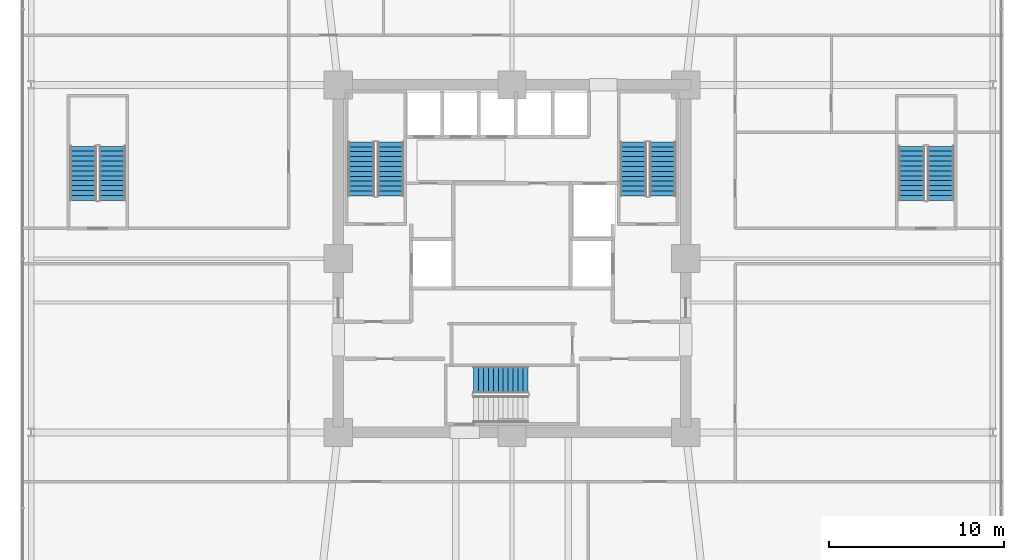
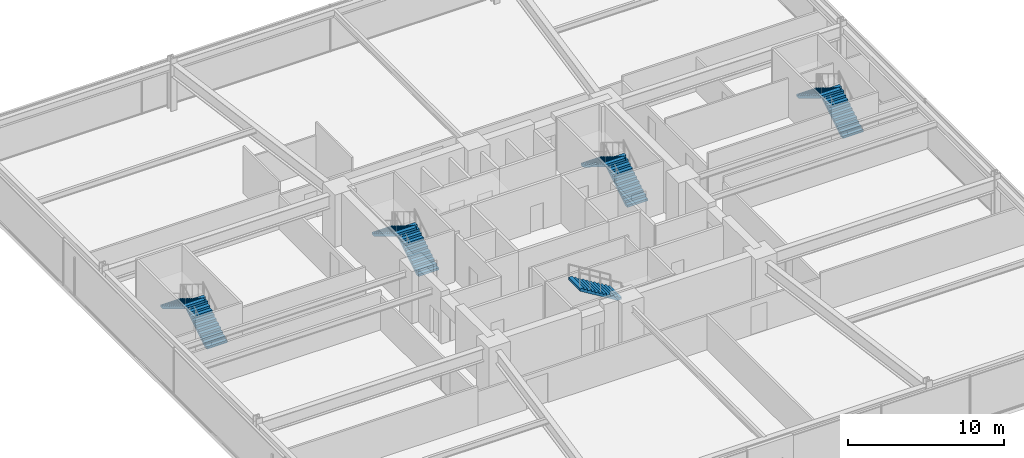
# One storey, part 36 of 39: 9 stair flights, 5 elements without a shape of their own.
"""IFC4 building model written with IfcOpenShell, lengths in metres."""

from ifc_helpers import new_model, si_unit, direction, frame, origin, place, context, subcontext, project, spatial, polyline, outline, extrude, material, type_object, element, aggregate, save


model = new_model("IFC4")

# Units and contexts
model_context = context("Model", 3, precision=1e-05, world=origin(), true_north=direction((0.0, 1.0)))
body_context = subcontext(model_context, "Body", "Model", "MODEL_VIEW")
ifc_project = project(units=[si_unit("LENGTHUNIT", "METRE"), si_unit("AREAUNIT", "SQUARE_METRE"), si_unit("VOLUMEUNIT", "CUBIC_METRE"), si_unit("PLANEANGLEUNIT", "RADIAN"), si_unit("MASSUNIT", "GRAM", prefix="KILO")], contexts=[model_context])

# Site, building, storey
site_placement = place(None, origin())
site = spatial("IfcSite", under=ifc_project, at=site_placement, CompositionType="ELEMENT")
building_placement = place(site_placement, origin())
building = spatial("IfcBuilding", under=site, at=building_placement, Name="Kolvaren Belvedere", CompositionType="ELEMENT")
storey_placement = place(building_placement, frame((0.0, 0.0, 15.199951171875)))
storey = spatial("IfcBuildingStorey", under=building, at=storey_placement, Name="L04", CompositionType="ELEMENT", Elevation=15.199951171875)

# Stair, stair flights
ifc_material_1 = material(Name="Concrete C50/60", Category="concrete")
stair_type_1 = type_object("IfcStairType", Name="ST-CORE-1520", PredefinedType="HALF_TURN_STAIR", material=ifc_material_1)
stair_1_placement = place(storey_placement, origin())
stair_1 = element("IfcStair", 1, at=stair_1_placement, inside=storey, type_object=stair_type_1, Name="L04 Protected Exit Stair ST-1", PredefinedType="HALF_TURN_STAIR")
ifc_material_2 = material(Name="Concrete C50/60", Category="concrete")
stair_flight_type = type_object("IfcStairFlightType", Name="SF-STR-1520", PredefinedType="STRAIGHT", material=ifc_material_2)
stair_flight_1_placement = place(storey_placement, frame((-6.919921875, 3.570068359375, 0.0), z_axis=(0.0, 0.0, 1.0), x_axis=(0.0, 1.0, 0.0)))
stair_flight_1 = element("IfcStairFlight", 2, at=stair_flight_1_placement, type_object=stair_flight_type, Name="ST-1 flight 1", NumberOfRisers=12, NumberOfTreads=11, PredefinedType="STRAIGHT", RiserHeight=0.170833333, TreadLength=0.28, context=body_context, shape_type="SweptSolid", body=[
    extrude(outline(polyline([(0.0, 0.0), (0.0, 0.1708984375), (0.280029296875, 0.1708984375), (0.280029296875, 0.341552734375), (0.56005859375, 0.341552734375), (0.56005859375, 0.512451171875), (0.840087890625, 0.512451171875), (0.840087890625, 0.683349609375), (1.1201171875, 0.683349609375), (1.1201171875, 0.854248046875), (1.39990234375, 0.854248046875), (1.39990234375, 1.02490234375), (1.679931640625, 1.02490234375), (1.679931640625, 1.19580078125), (1.9599609375, 1.19580078125), (1.9599609375, 1.36669921875), (2.239990234375, 1.36669921875), (2.239990234375, 1.53759765625), (2.52001953125, 1.53759765625), (2.52001953125, 1.708251953125), (2.800048828125, 1.708251953125), (2.800048828125, 1.879150390625), (3.080078125, 1.879150390625), (3.080078125, 2.050048828125), (3.080078125, 1.70361328125), (0.287841796875, 0.0), (0.0, 0.0)])), frame((0.0, 0.760009765625, 0.0), z_axis=(0.0, -1.0, 0.0), x_axis=(1.0, 0.0, 0.0)), (0.0, 0.0, 1.0), 1.52001953125),
])
stair_flight_2_placement = place(storey_placement, frame((-8.590087890625, 6.64990234375, 2.050048828125), z_axis=(0.0, 0.0, 1.0), x_axis=(0.0, -1.0, 0.0)))
stair_flight_2 = element("IfcStairFlight", 3, at=stair_flight_2_placement, type_object=stair_flight_type, Name="ST-1 flight 2", NumberOfRisers=12, NumberOfTreads=11, PredefinedType="STRAIGHT", RiserHeight=0.170833333, TreadLength=0.28, context=body_context, shape_type="SweptSolid", body=[
    extrude(outline(polyline([(0.0, 0.0), (0.0, 0.1708984375), (0.280029296875, 0.1708984375), (0.280029296875, 0.341552734375), (0.56005859375, 0.341552734375), (0.56005859375, 0.512451171875), (0.840087890625, 0.512451171875), (0.840087890625, 0.683349609375), (1.1201171875, 0.683349609375), (1.1201171875, 0.854248046875), (1.39990234375, 0.854248046875), (1.39990234375, 1.02490234375), (1.679931640625, 1.02490234375), (1.679931640625, 1.19580078125), (1.9599609375, 1.19580078125), (1.9599609375, 1.36669921875), (2.239990234375, 1.36669921875), (2.239990234375, 1.53759765625), (2.52001953125, 1.53759765625), (2.52001953125, 1.708251953125), (2.800048828125, 1.708251953125), (2.800048828125, 1.879150390625), (3.080078125, 1.879150390625), (3.080078125, 2.050048828125), (3.080078125, 1.70361328125), (0.287841796875, 0.0), (0.0, 0.0)])), frame((0.0, 0.760009765625, 0.0), z_axis=(0.0, -1.0, 0.0), x_axis=(1.0, 0.0, 0.0)), (0.0, 0.0, 1.0), 1.52001953125),
])
aggregate(stair_1, [stair_flight_1, stair_flight_2])

stair_2_placement = place(storey_placement, origin())
stair_2 = element("IfcStair", 4, at=stair_2_placement, inside=storey, type_object=stair_type_1, Name="L04 Protected Exit Stair ST-2", PredefinedType="HALF_TURN_STAIR")
stair_flight_3_placement = place(storey_placement, frame((8.590087890625, 3.570068359375, 0.0), z_axis=(0.0, 0.0, 1.0), x_axis=(0.0, 1.0, 0.0)))
stair_flight_3 = element("IfcStairFlight", 5, at=stair_flight_3_placement, type_object=stair_flight_type, Name="ST-2 flight 1", NumberOfRisers=12, NumberOfTreads=11, PredefinedType="STRAIGHT", RiserHeight=0.170833333, TreadLength=0.28, context=body_context, shape_type="SweptSolid", body=[
    extrude(outline(polyline([(0.0, 0.0), (0.0, 0.1708984375), (0.280029296875, 0.1708984375), (0.280029296875, 0.341552734375), (0.56005859375, 0.341552734375), (0.56005859375, 0.512451171875), (0.840087890625, 0.512451171875), (0.840087890625, 0.683349609375), (1.1201171875, 0.683349609375), (1.1201171875, 0.854248046875), (1.39990234375, 0.854248046875), (1.39990234375, 1.02490234375), (1.679931640625, 1.02490234375), (1.679931640625, 1.19580078125), (1.9599609375, 1.19580078125), (1.9599609375, 1.36669921875), (2.239990234375, 1.36669921875), (2.239990234375, 1.53759765625), (2.52001953125, 1.53759765625), (2.52001953125, 1.708251953125), (2.800048828125, 1.708251953125), (2.800048828125, 1.879150390625), (3.080078125, 1.879150390625), (3.080078125, 2.050048828125), (3.080078125, 1.70361328125), (0.287841796875, 0.0), (0.0, 0.0)])), frame((0.0, 0.760009765625, 0.0), z_axis=(0.0, -1.0, 0.0), x_axis=(1.0, 0.0, 0.0)), (0.0, 0.0, 1.0), 1.52001953125),
])
stair_flight_4_placement = place(storey_placement, frame((6.919921875, 6.64990234375, 2.050048828125), z_axis=(0.0, 0.0, 1.0), x_axis=(0.0, -1.0, 0.0)))
stair_flight_4 = element("IfcStairFlight", 6, at=stair_flight_4_placement, type_object=stair_flight_type, Name="ST-2 flight 2", NumberOfRisers=12, NumberOfTreads=11, PredefinedType="STRAIGHT", RiserHeight=0.170833333, TreadLength=0.28, context=body_context, shape_type="SweptSolid", body=[
    extrude(outline(polyline([(0.0, 0.0), (0.0, 0.1708984375), (0.280029296875, 0.1708984375), (0.280029296875, 0.341552734375), (0.56005859375, 0.341552734375), (0.56005859375, 0.512451171875), (0.840087890625, 0.512451171875), (0.840087890625, 0.683349609375), (1.1201171875, 0.683349609375), (1.1201171875, 0.854248046875), (1.39990234375, 0.854248046875), (1.39990234375, 1.02490234375), (1.679931640625, 1.02490234375), (1.679931640625, 1.19580078125), (1.9599609375, 1.19580078125), (1.9599609375, 1.36669921875), (2.239990234375, 1.36669921875), (2.239990234375, 1.53759765625), (2.52001953125, 1.53759765625), (2.52001953125, 1.708251953125), (2.800048828125, 1.708251953125), (2.800048828125, 1.879150390625), (3.080078125, 1.879150390625), (3.080078125, 2.050048828125), (3.080078125, 1.70361328125), (0.287841796875, 0.0), (0.0, 0.0)])), frame((0.0, 0.760009765625, 0.0), z_axis=(0.0, -1.0, 0.0), x_axis=(1.0, 0.0, 0.0)), (0.0, 0.0, 1.0), 1.52001953125),
])
aggregate(stair_2, [stair_flight_3, stair_flight_4])

# Stair, stair flight
stair_3_placement = place(storey_placement, origin())
stair_3 = element("IfcStair", 7, at=stair_3_placement, inside=storey, type_object=stair_type_1, Name="L04 Protected Exit Stair ST-3", PredefinedType="HALF_TURN_STAIR")
stair_flight_5_placement = place(storey_placement, frame((0.89990234375, -6.919921875, 2.050048828125), z_axis=(0.0, 0.0, 1.0), x_axis=(-1.0, 0.0, 0.0)))
stair_flight_5 = element("IfcStairFlight", 8, at=stair_flight_5_placement, type_object=stair_flight_type, Name="ST-3 flight 2", NumberOfRisers=12, NumberOfTreads=11, PredefinedType="STRAIGHT", RiserHeight=0.170833333, TreadLength=0.28, context=body_context, shape_type="SweptSolid", body=[
    extrude(outline(polyline([(0.0, 0.0), (0.0, 0.1708984375), (0.280029296875, 0.1708984375), (0.280029296875, 0.341552734375), (0.56005859375, 0.341552734375), (0.56005859375, 0.512451171875), (0.840087890625, 0.512451171875), (0.840087890625, 0.683349609375), (1.1201171875, 0.683349609375), (1.1201171875, 0.854248046875), (1.39990234375, 0.854248046875), (1.39990234375, 1.02490234375), (1.679931640625, 1.02490234375), (1.679931640625, 1.19580078125), (1.9599609375, 1.19580078125), (1.9599609375, 1.36669921875), (2.239990234375, 1.36669921875), (2.239990234375, 1.53759765625), (2.52001953125, 1.53759765625), (2.52001953125, 1.708251953125), (2.800048828125, 1.708251953125), (2.800048828125, 1.879150390625), (3.080078125, 1.879150390625), (3.080078125, 2.050048828125), (3.080078125, 1.70361328125), (0.287841796875, 0.0), (0.0, 0.0)])), frame((0.0, 0.760009765625, 0.0), z_axis=(0.0, -1.0, 0.0), x_axis=(1.0, 0.0, 0.0)), (0.0, 0.0, 1.0), 1.52001953125),
])
aggregate(stair_3, [stair_flight_5])

# Stair, stair flights
ifc_material_3 = material(Name="Concrete C50/60", Category="concrete")
stair_type_2 = type_object("IfcStairType", Name="ST-POD-1520", PredefinedType="HALF_TURN_STAIR", material=ifc_material_3)
stair_4_placement = place(storey_placement, origin())
stair_4 = element("IfcStair", 9, at=stair_4_placement, inside=storey, type_object=stair_type_2, Name="L04 Podium Exit Stair ST-P1", PredefinedType="HALF_TURN_STAIR")
stair_flight_6_placement = place(storey_placement, frame((-22.77001953125, 3.320068359375, 0.0), z_axis=(0.0, 0.0, 1.0), x_axis=(0.0, 1.0, 0.0)))
stair_flight_6 = element("IfcStairFlight", 10, at=stair_flight_6_placement, type_object=stair_flight_type, Name="ST-P1 flight 1", NumberOfRisers=12, NumberOfTreads=11, PredefinedType="STRAIGHT", RiserHeight=0.170833333, TreadLength=0.28, context=body_context, shape_type="SweptSolid", body=[
    extrude(outline(polyline([(0.0, 0.0), (0.0, 0.1708984375), (0.280029296875, 0.1708984375), (0.280029296875, 0.341552734375), (0.56005859375, 0.341552734375), (0.56005859375, 0.512451171875), (0.840087890625, 0.512451171875), (0.840087890625, 0.683349609375), (1.1201171875, 0.683349609375), (1.1201171875, 0.854248046875), (1.39990234375, 0.854248046875), (1.39990234375, 1.02490234375), (1.679931640625, 1.02490234375), (1.679931640625, 1.19580078125), (1.9599609375, 1.19580078125), (1.9599609375, 1.36669921875), (2.239990234375, 1.36669921875), (2.239990234375, 1.53759765625), (2.52001953125, 1.53759765625), (2.52001953125, 1.708251953125), (2.800048828125, 1.708251953125), (2.800048828125, 1.879150390625), (3.080078125, 1.879150390625), (3.080078125, 2.050048828125), (3.080078125, 1.70361328125), (0.287841796875, 0.0), (0.0, 0.0)])), frame((0.0, 0.760009765625, 0.0), z_axis=(0.0, -1.0, 0.0), x_axis=(1.0, 0.0, 0.0)), (0.0, 0.0, 1.0), 1.52001953125),
])
stair_flight_7_placement = place(storey_placement, frame((-24.43994140625, 6.39990234375, 2.050048828125), z_axis=(0.0, 0.0, 1.0), x_axis=(0.0, -1.0, 0.0)))
stair_flight_7 = element("IfcStairFlight", 11, at=stair_flight_7_placement, type_object=stair_flight_type, Name="ST-P1 flight 2", NumberOfRisers=12, NumberOfTreads=11, PredefinedType="STRAIGHT", RiserHeight=0.170833333, TreadLength=0.28, context=body_context, shape_type="SweptSolid", body=[
    extrude(outline(polyline([(0.0, 0.0), (0.0, 0.1708984375), (0.280029296875, 0.1708984375), (0.280029296875, 0.341552734375), (0.56005859375, 0.341552734375), (0.56005859375, 0.512451171875), (0.840087890625, 0.512451171875), (0.840087890625, 0.683349609375), (1.1201171875, 0.683349609375), (1.1201171875, 0.854248046875), (1.39990234375, 0.854248046875), (1.39990234375, 1.02490234375), (1.679931640625, 1.02490234375), (1.679931640625, 1.19580078125), (1.9599609375, 1.19580078125), (1.9599609375, 1.36669921875), (2.239990234375, 1.36669921875), (2.239990234375, 1.53759765625), (2.52001953125, 1.53759765625), (2.52001953125, 1.708251953125), (2.800048828125, 1.708251953125), (2.800048828125, 1.879150390625), (3.080078125, 1.879150390625), (3.080078125, 2.050048828125), (3.080078125, 1.70361328125), (0.287841796875, 0.0), (0.0, 0.0)])), frame((0.0, 0.760009765625, 0.0), z_axis=(0.0, -1.0, 0.0), x_axis=(1.0, 0.0, 0.0)), (0.0, 0.0, 1.0), 1.52001953125),
])
aggregate(stair_4, [stair_flight_6, stair_flight_7])

stair_5_placement = place(storey_placement, origin())
stair_5 = element("IfcStair", 12, at=stair_5_placement, inside=storey, type_object=stair_type_2, Name="L04 Podium Exit Stair ST-P2", PredefinedType="HALF_TURN_STAIR")
stair_flight_8_placement = place(storey_placement, frame((24.43994140625, 3.320068359375, 0.0), z_axis=(0.0, 0.0, 1.0), x_axis=(0.0, 1.0, 0.0)))
stair_flight_8 = element("IfcStairFlight", 13, at=stair_flight_8_placement, type_object=stair_flight_type, Name="ST-P2 flight 1", NumberOfRisers=12, NumberOfTreads=11, PredefinedType="STRAIGHT", RiserHeight=0.170833333, TreadLength=0.28, context=body_context, shape_type="SweptSolid", body=[
    extrude(outline(polyline([(0.0, 0.0), (0.0, 0.1708984375), (0.280029296875, 0.1708984375), (0.280029296875, 0.341552734375), (0.56005859375, 0.341552734375), (0.56005859375, 0.512451171875), (0.840087890625, 0.512451171875), (0.840087890625, 0.683349609375), (1.1201171875, 0.683349609375), (1.1201171875, 0.854248046875), (1.39990234375, 0.854248046875), (1.39990234375, 1.02490234375), (1.679931640625, 1.02490234375), (1.679931640625, 1.19580078125), (1.9599609375, 1.19580078125), (1.9599609375, 1.36669921875), (2.239990234375, 1.36669921875), (2.239990234375, 1.53759765625), (2.52001953125, 1.53759765625), (2.52001953125, 1.708251953125), (2.800048828125, 1.708251953125), (2.800048828125, 1.879150390625), (3.080078125, 1.879150390625), (3.080078125, 2.050048828125), (3.080078125, 1.70361328125), (0.287841796875, 0.0), (0.0, 0.0)])), frame((0.0, 0.760009765625, 0.0), z_axis=(0.0, -1.0, 0.0), x_axis=(1.0, 0.0, 0.0)), (0.0, 0.0, 1.0), 1.52001953125),
])
stair_flight_9_placement = place(storey_placement, frame((22.77001953125, 6.39990234375, 2.050048828125), z_axis=(0.0, 0.0, 1.0), x_axis=(0.0, -1.0, 0.0)))
stair_flight_9 = element("IfcStairFlight", 14, at=stair_flight_9_placement, type_object=stair_flight_type, Name="ST-P2 flight 2", NumberOfRisers=12, NumberOfTreads=11, PredefinedType="STRAIGHT", RiserHeight=0.170833333, TreadLength=0.28, context=body_context, shape_type="SweptSolid", body=[
    extrude(outline(polyline([(0.0, 0.0), (0.0, 0.1708984375), (0.280029296875, 0.1708984375), (0.280029296875, 0.341552734375), (0.56005859375, 0.341552734375), (0.56005859375, 0.512451171875), (0.840087890625, 0.512451171875), (0.840087890625, 0.683349609375), (1.1201171875, 0.683349609375), (1.1201171875, 0.854248046875), (1.39990234375, 0.854248046875), (1.39990234375, 1.02490234375), (1.679931640625, 1.02490234375), (1.679931640625, 1.19580078125), (1.9599609375, 1.19580078125), (1.9599609375, 1.36669921875), (2.239990234375, 1.36669921875), (2.239990234375, 1.53759765625), (2.52001953125, 1.53759765625), (2.52001953125, 1.708251953125), (2.800048828125, 1.708251953125), (2.800048828125, 1.879150390625), (3.080078125, 1.879150390625), (3.080078125, 2.050048828125), (3.080078125, 1.70361328125), (0.287841796875, 0.0), (0.0, 0.0)])), frame((0.0, 0.760009765625, 0.0), z_axis=(0.0, -1.0, 0.0), x_axis=(1.0, 0.0, 0.0)), (0.0, 0.0, 1.0), 1.52001953125),
])
aggregate(stair_5, [stair_flight_8, stair_flight_9])

save(model, "model.ifc")
